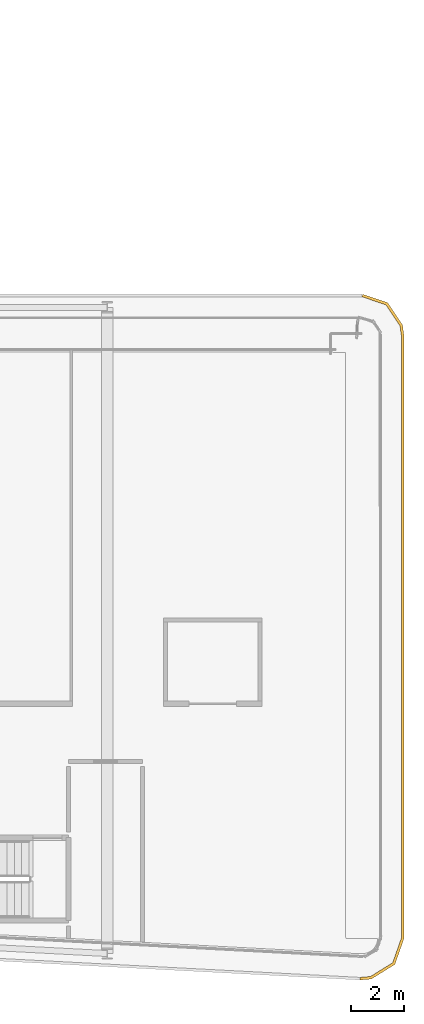
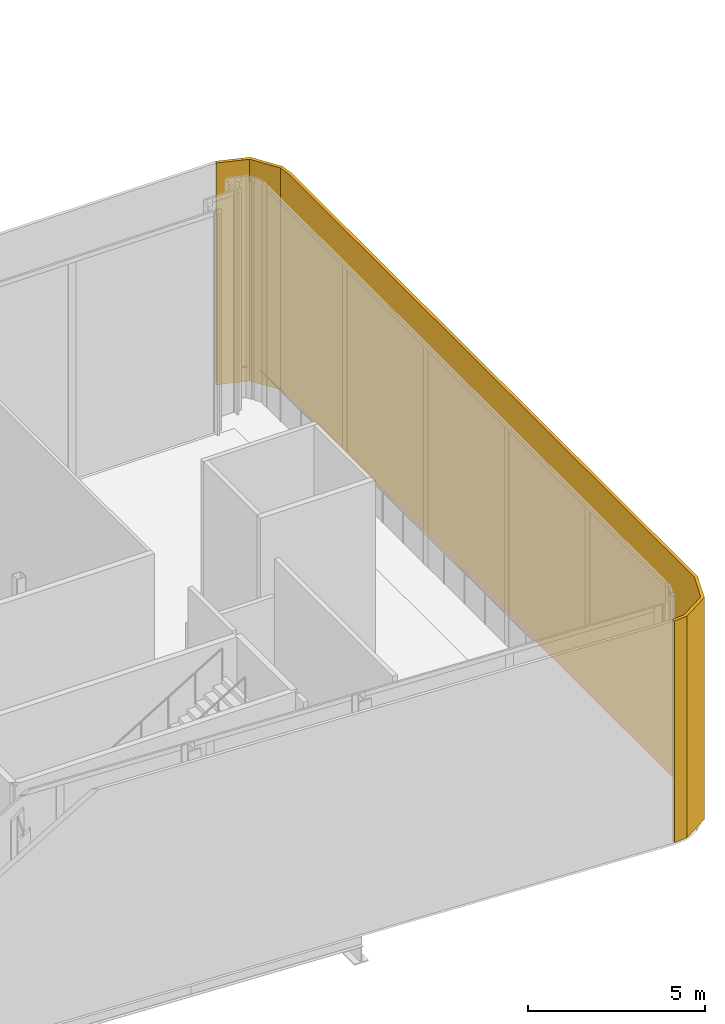
# One storey, part 37 of 37: 1 shading device.
"""IFC4 building model written with IfcOpenShell, lengths in metres."""

import ifcopenshell
import ifcopenshell.guid

model = None  # the IFC model being written
_history = None  # IfcOwnerHistory: only IFC2X3 demands one
_inside = {}  # id of a spatial element -> (the spatial element, [elements in it])
_under = {}  # id of a project, library or spatial element -> (it, [spatial elements below it])
_declared = {}  # id of a project -> (the project, [libraries it declares])
_typed = {}  # id of a type object -> (the type object, [elements of that type])
_made_of = {}  # id of a material, layer set ... -> (it, [elements and type objects made of it])


def new_model(schema):
    """Start an empty IFC model of exactly this schema.

    Asked for "IFC4X3", IfcOpenShell would pick the latest addendum, in which some entities
    have other attributes; the version numbers below select the first issue.
    IFC2X3 requires an IfcOwnerHistory on every rooted entity: one is made here for all.
    """
    global model, _history
    if schema == "IFC4X3":
        model = ifcopenshell.file(schema_version=(4, 3, 0, 0))
    else:
        model = ifcopenshell.file(schema=schema)
    _inside.clear()
    _under.clear()
    _declared.clear()
    _typed.clear()
    _made_of.clear()
    _history = None
    if model.schema == "IFC2X3":
        org = make("IfcOrganization", Name="unknown")
        user = make(
            "IfcPersonAndOrganization",
            ThePerson=make("IfcPerson", FamilyName="unknown"),
            TheOrganization=org,
        )
        app = make(
            "IfcApplication",
            ApplicationDeveloper=org,
            Version="unknown",
            ApplicationFullName="unknown",
            ApplicationIdentifier="unknown",
        )
        _history = make(
            "IfcOwnerHistory",
            OwningUser=user,
            OwningApplication=app,
            ChangeAction="ADDED",
            CreationDate=0,
        )
    return model


def make(cls, **values):
    """One entity of the class cls with the attributes given. An attribute that is None is left unset."""
    return model.create_entity(
        cls, **{name: value for name, value in values.items() if value is not None}
    )


def rooted(cls, **values):
    """An entity with a GlobalId (a new one), such as an element, a storey or a relation."""
    return make(cls, GlobalId=ifcopenshell.guid.new(), OwnerHistory=_history, **values)


def si_unit(unit_type, name, prefix=None):
    """IfcSIUnit, for example si_unit("LENGTHUNIT", "METRE", prefix="MILLI")."""
    return make("IfcSIUnit", UnitType=unit_type, Prefix=prefix, Name=name)


def assignment(units):
    """IfcUnitAssignment: the units of a project."""
    return None if units is None else make("IfcUnitAssignment", Units=units)


def point(xyz):
    """IfcCartesianPoint."""
    return None if xyz is None else make("IfcCartesianPoint", Coordinates=xyz)


def direction(xyz):
    """IfcDirection."""
    return None if xyz is None else make("IfcDirection", DirectionRatios=xyz)


def frame(location, z_axis=None, x_axis=None):
    """IfcAxis2Placement3D, a coordinate frame: its origin and axes. An axis left out is left unset."""
    return make(
        "IfcAxis2Placement3D",
        Location=point(location),
        Axis=direction(z_axis),
        RefDirection=direction(x_axis),
    )


def origin():
    """The frame at (0, 0, 0) with its axes left unset."""
    return frame((0.0, 0.0, 0.0))


def place(relative_to, where):
    """IfcLocalPlacement: puts the frame where relative to a parent placement (None: the world)."""
    return make(
        "IfcLocalPlacement", PlacementRelTo=relative_to, RelativePlacement=where
    )


def context(
    kind, dimensions, precision=None, world=None, true_north=None, identifier=None
):
    """IfcGeometricRepresentationContext, for example the 3D "Model" context."""
    return make(
        "IfcGeometricRepresentationContext",
        ContextIdentifier=identifier,
        ContextType=kind,
        CoordinateSpaceDimension=dimensions,
        Precision=precision,
        WorldCoordinateSystem=world,
        TrueNorth=true_north,
    )


def subcontext(parent, identifier, kind, view, scale=None):
    """IfcGeometricRepresentationSubContext, for example "Body" below "Model"."""
    return make(
        "IfcGeometricRepresentationSubContext",
        ContextIdentifier=identifier,
        ContextType=kind,
        ParentContext=parent,
        TargetScale=scale,
        TargetView=view,
    )


def project(units=None, contexts=None):
    """IfcProject with its units and contexts."""
    return rooted(
        "IfcProject",
        Name="project",
        RepresentationContexts=contexts,
        UnitsInContext=assignment(units),
    )


def spatial(cls, under=None, at=None, **own):
    """A site, building, storey or space (cls), placed at a placement, below another one or the project."""
    s = rooted(cls, ObjectPlacement=at, **own)
    if under is not None:
        _under.setdefault(under.id(), (under, []))[1].append(s)
    return s


def polyline(points):
    """IfcPolyline through the points."""
    return make("IfcPolyline", Points=[point(p) for p in points])


def outline(outer, holes=None, kind="AREA"):
    """IfcArbitraryClosedProfileDef: a profile drawn as a closed curve; with holes, ...WithVoids."""
    if holes is None:
        return make("IfcArbitraryClosedProfileDef", ProfileType=kind, OuterCurve=outer)
    return make(
        "IfcArbitraryProfileDefWithVoids",
        ProfileType=kind,
        OuterCurve=outer,
        InnerCurves=holes,
    )


def extrude(swept, where, along, depth):
    """IfcExtrudedAreaSolid: the profile swept, set in the frame where, extruded along a direction by depth."""
    return make(
        "IfcExtrudedAreaSolid",
        SweptArea=swept,
        Position=where,
        ExtrudedDirection=direction(along),
        Depth=depth,
    )


def shape(context_of_items, identifier, shape_type, items):
    """IfcShapeRepresentation: the items that make up one representation, for example the "Body"."""
    return make(
        "IfcShapeRepresentation",
        ContextOfItems=context_of_items,
        RepresentationIdentifier=identifier,
        RepresentationType=shape_type,
        Items=items,
    )


def material(Name=None, Category=None):
    """IfcMaterial."""
    return make("IfcMaterial", Name=Name, Category=Category)


def layer(
    of_material, thickness, ventilated=None, Name=None, Category=None, Priority=None
):
    """IfcMaterialLayer: one layer of a wall or slab, of a material (None: an air gap)."""
    return make(
        "IfcMaterialLayer",
        Material=of_material,
        LayerThickness=thickness,
        IsVentilated=ventilated,
        Name=Name,
        Category=Category,
        Priority=Priority,
    )


def layer_set(layers, Name=None):
    """IfcMaterialLayerSet."""
    return make("IfcMaterialLayerSet", MaterialLayers=layers, LayerSetName=Name)


def made_of(thing, what):
    """Note that an element or type object is made of a material, layer set ...; save() writes the relation."""
    if what is not None:
        _made_of.setdefault(what.id(), (what, []))[1].append(thing)
    return thing


def type_object(cls, material=None, **own):
    """A type object (cls), such as IfcWallType, which elements share."""
    return made_of(rooted(cls, **own), material)


def element(
    cls,
    number,
    at=None,
    inside=None,
    cuts=None,
    type_object=None,
    material=None,
    context=None,
    identifier="Body",
    shape_type=None,
    held_by="IfcProductDefinitionShape",
    body=None,
    shapes=None,
    **own,
):
    """One element of the class cls, such as IfcWall. Its Tag is "e" and its number.

    at: its placement. inside: the storey or other place that contains it. cuts: it is an
    opening in that element (IfcRelVoidsElement). A single representation is given by context,
    identifier, shape_type and body (its items); several are given by shapes. held_by: the class
    of the entity that holds the representations. save() writes the other relations.
    """
    e = rooted(cls, Tag="e%d" % number, ObjectPlacement=at, **own)
    if body is not None:
        shapes = [shape(context, identifier, shape_type, body)]
    if shapes is not None:
        e.Representation = make(held_by, Representations=shapes)
    if inside is not None:
        _inside.setdefault(inside.id(), (inside, []))[1].append(e)
    if cuts is not None:
        rooted(
            "IfcRelVoidsElement", RelatingBuildingElement=cuts, RelatedOpeningElement=e
        )
    if type_object is not None:
        _typed.setdefault(type_object.id(), (type_object, []))[1].append(e)
    return made_of(e, material)


def aggregate(whole, parts):
    """IfcRelAggregates: a whole, such as a stair, and the parts it consists of."""
    return rooted("IfcRelAggregates", RelatingObject=whole, RelatedObjects=parts)


def save(model, path):
    """Write the relations noted so far, then the file.

    IfcRelAggregates (storeys below a building ...), IfcRelContainedInSpatialStructure (elements
    in a storey), IfcRelDefinesByType, IfcRelAssociatesMaterial and IfcRelDeclares: one each for
    every whole, place, type object, material and project.
    """
    for whole, parts in _under.values():
        aggregate(whole, parts)
    for where, things in _inside.values():
        rooted(
            "IfcRelContainedInSpatialStructure",
            RelatedElements=things,
            RelatingStructure=where,
        )
    for kind, things in _typed.values():
        rooted("IfcRelDefinesByType", RelatedObjects=things, RelatingType=kind)
    for what, things in _made_of.values():
        rooted("IfcRelAssociatesMaterial", RelatedObjects=things, RelatingMaterial=what)
    for by, libraries in _declared.values():
        rooted("IfcRelDeclares", RelatingContext=by, RelatedDefinitions=libraries)
    model.write(path)


model = new_model("IFC4")

# Units and contexts
model_context = context("Model", 3, precision=1e-05, world=origin(), true_north=direction((0.0, 1.0)))
body_context = subcontext(model_context, "Body", "Model", "MODEL_VIEW")
ifc_project = project(units=[si_unit("LENGTHUNIT", "METRE"), si_unit("AREAUNIT", "SQUARE_METRE"), si_unit("VOLUMEUNIT", "CUBIC_METRE"), si_unit("PLANEANGLEUNIT", "RADIAN"), si_unit("MASSUNIT", "GRAM", prefix="KILO")], contexts=[model_context])

# Site, building, storey
site_placement = place(None, origin())
site = spatial("IfcSite", under=ifc_project, at=site_placement, CompositionType="ELEMENT")
building_placement = place(site_placement, origin())
building = spatial("IfcBuilding", under=site, at=building_placement, Name="Kheshtan School and Residences Tower", CompositionType="ELEMENT")
storey_placement = place(building_placement, frame((0.0, 0.0, 144.800048828125)))
storey = spatial("IfcBuildingStorey", under=building, at=storey_placement, Name="L34", CompositionType="ELEMENT", Elevation=144.800048828125)

# Shading device
ifc_material = material(Name="Terracotta baguette, extruded ceramic", Category="masonry")
ifc_layer = layer(ifc_material, 0.10009765625)
ifc_layer_set = layer_set([ifc_layer], Name="Ledge screen, terracotta baguettes")
shading_device_type = type_object("IfcShadingDeviceType", Name="Ledge screen, terracotta baguettes", PredefinedType="USERDEFINED", material=ifc_layer_set)
shading_device_placement = place(storey_placement, origin())
element("IfcShadingDevice", 1, at=shading_device_placement, inside=storey, type_object=shading_device_type, Name="Screen L34 4", ObjectType="BAGUETTE", PredefinedType="USERDEFINED", context=body_context, shape_type="SweptSolid", body=[
    extrude(outline(polyline([(100.5, 46.0), (101.4130859375, 45.68994140625), (101.948974609375, 44.887939453125), (102.0, 44.5), (102.0, 21.5810546875), (101.669921875, 20.64208984375), (100.823974609375, 20.116943359375), (100.4208984375, 20.0830078125), (100.428955078125, 19.98291015625), (100.85595703125, 20.01904296875), (101.7529296875, 20.575927734375), (102.10009765625, 21.56396484375), (102.10009765625, 44.507080078125), (102.044921875, 44.924072265625), (101.47705078125, 45.77392578125), (100.531982421875, 46.094970703125), (100.5, 46.0)])), origin(), (0.0, 0.0, 1.0), 7.64990234375),
])

save(model, "model.ifc")
